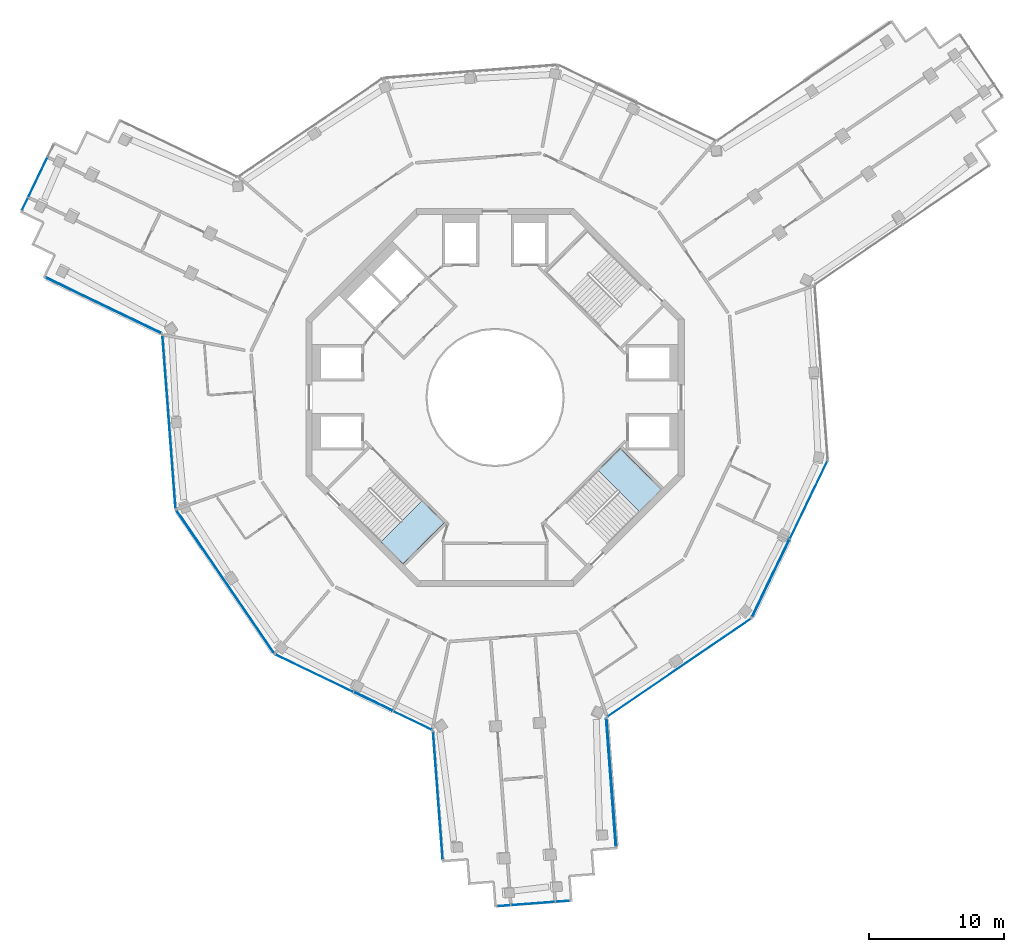
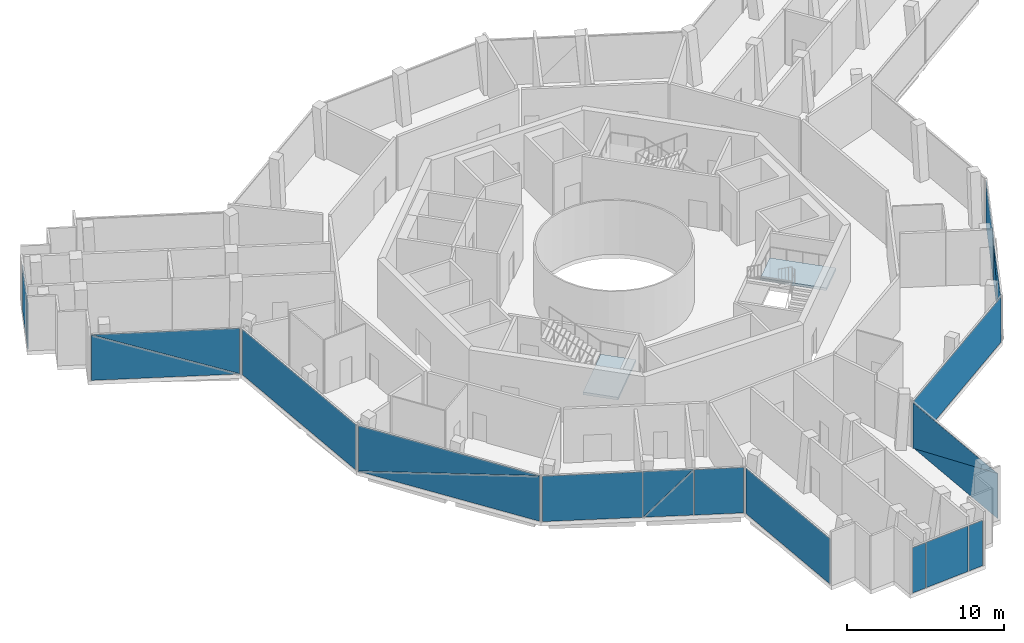
# One storey, part 9 of 19: 21 plates, 2 slabs, 12 elements without a shape of their own.
"""IFC4 building model written with IfcOpenShell, lengths in metres."""

from ifc_helpers import new_model, si_unit, direction, frame, origin, origin_2d, place, context, subcontext, project, spatial, polyline, rectangle, outline, extrude, material, layer, layer_set, type_object, element, aggregate, save


model = new_model("IFC4")

# Units and contexts
model_context = context("Model", 3, precision=1e-05, world=origin(), true_north=direction((0.0, 1.0)))
body_context = subcontext(model_context, "Body", "Model", "MODEL_VIEW")
ifc_project = project(units=[si_unit("LENGTHUNIT", "METRE"), si_unit("AREAUNIT", "SQUARE_METRE"), si_unit("VOLUMEUNIT", "CUBIC_METRE"), si_unit("PLANEANGLEUNIT", "RADIAN"), si_unit("MASSUNIT", "GRAM", prefix="KILO")], contexts=[model_context])

# Site, building, storey
site_placement = place(None, origin())
site = spatial("IfcSite", under=ifc_project, at=site_placement, CompositionType="ELEMENT")
building_placement = place(site_placement, origin())
building = spatial("IfcBuilding", under=site, at=building_placement, Name="Verdalira Terraces Hotel", CompositionType="ELEMENT")
storey_placement = place(building_placement, frame((0.0, 0.0, 295.0)))
storey = spatial("IfcBuildingStorey", under=building, at=storey_placement, Name="L73", CompositionType="ELEMENT", Elevation=295.0)

# Curtain wall, plates
ifc_material_1 = material(Name="Clear glass", Category="glass")
ifc_layer_1 = layer(ifc_material_1, 0.179931640625)
ifc_layer_set_1 = layer_set([ifc_layer_1], Name="CW4 curtain wall")
curtain_wall_type = type_object("IfcCurtainWallType", Name="CW4 curtain wall", PredefinedType="NOTDEFINED", material=ifc_layer_set_1)
curtain_wall_1_placement = place(storey_placement, origin())
curtain_wall_1 = element("IfcCurtainWall", 1, at=curtain_wall_1_placement, inside=storey, type_object=curtain_wall_type, Name="CW4 curtain wall L73 edge 5", PredefinedType="NOTDEFINED")
ifc_material_2 = material(Name="Clear glass", Category="glass")
ifc_layer_2 = layer(ifc_material_2, 0.035888671875)
ifc_layer_set_2 = layer_set([ifc_layer_2], Name="CW4 glass unit 36")
plate_type = type_object("IfcPlateType", Name="CW4 glass unit 36", PredefinedType="CURTAIN_PANEL", material=ifc_layer_set_2)
plate_1_placement = place(storey_placement, frame((-33.838623, 16.294189, 0.0), z_axis=(0.0, 0.0, 1.0), x_axis=(-0.433344523, -0.901228342, 0.0)))
plate_1 = element("IfcPlate", 2, at=plate_1_placement, type_object=plate_type, Name="CW4 glass unit", PredefinedType="CURTAIN_PANEL", context=body_context, shape_type="SweptSolid", body=[
    extrude(rectangle(XDim=3.23291, YDim=0.035889, at=origin_2d()), origin(), (0.0, 0.0, 1.0), 3.52002),
])
plate_2_placement = place(storey_placement, frame((-34.789307, 14.317139, 0.0), z_axis=(0.0, 0.0, 1.0), x_axis=(-0.433344523, -0.901228342, 0.0)))
plate_2 = element("IfcPlate", 3, at=plate_2_placement, type_object=plate_type, Name="CW4 glass unit", PredefinedType="CURTAIN_PANEL", context=body_context, shape_type="SweptSolid", body=[
    extrude(rectangle(XDim=1.024658, YDim=0.035889, at=origin_2d()), origin(), (0.0, 0.0, 1.0), 3.52002),
])
aggregate(curtain_wall_1, [plate_1, plate_2])

curtain_wall_2_placement = place(storey_placement, origin())
curtain_wall_2 = element("IfcCurtainWall", 4, at=curtain_wall_2_placement, inside=storey, type_object=curtain_wall_type, Name="CW4 curtain wall L73 edge 10", PredefinedType="NOTDEFINED")
plate_3_placement = place(storey_placement, frame((-28.98291, 6.810303, 1.76001), z_axis=(-0.433344523, -0.901228342, 0.0), x_axis=(0.901228342, -0.433344523, 0.0)))
plate_3 = element("IfcPlate", 5, at=plate_3_placement, type_object=plate_type, Name="CW4 glass unit", PredefinedType="CURTAIN_PANEL", context=body_context, shape_type="SweptSolid", body=[
    extrude(outline(polyline([(-4.730957, -1.76001), (4.730957, -1.76001), (-4.730957, 1.76001), (-4.730957, -1.76001)])), origin(), (0.0, 0.0, 1.0), 0.035889),
])
plate_4_placement = place(storey_placement, frame((-28.966797, 6.84375, 1.76001), z_axis=(-0.433344523, -0.901228342, 0.0), x_axis=(0.901228342, -0.433344523, 0.0)))
plate_4 = element("IfcPlate", 6, at=plate_4_placement, type_object=plate_type, Name="CW4 glass unit", PredefinedType="CURTAIN_PANEL", context=body_context, shape_type="SweptSolid", body=[
    extrude(outline(polyline([(4.730957, -1.76001), (4.730957, 1.76001), (-4.730957, 1.76001), (4.730957, -1.76001)])), origin(), (0.0, 0.0, 1.0), 0.035889),
])
aggregate(curtain_wall_2, [plate_3, plate_4])

# Curtain wall, plate
curtain_wall_3_placement = place(storey_placement, origin())
curtain_wall_3 = element("IfcCurtainWall", 7, at=curtain_wall_3_placement, inside=storey, type_object=curtain_wall_type, Name="CW4 curtain wall L73 edge 11", PredefinedType="NOTDEFINED")
plate_5_placement = place(storey_placement, frame((-24.130371, -1.811279, 0.0), z_axis=(0.0, 0.0, 1.0), x_axis=(0.075326806, -0.9971589, 0.0)))
plate_5 = element("IfcPlate", 8, at=plate_5_placement, type_object=plate_type, Name="CW4 glass unit", PredefinedType="CURTAIN_PANEL", context=body_context, shape_type="SweptSolid", body=[
    extrude(rectangle(XDim=12.8125, YDim=0.035889, at=origin_2d()), origin(), (0.0, 0.0, 1.0), 3.52002),
])
aggregate(curtain_wall_3, [plate_5])

# Curtain wall, plates
curtain_wall_4_placement = place(storey_placement, origin())
curtain_wall_4 = element("IfcCurtainWall", 9, at=curtain_wall_4_placement, inside=storey, type_object=curtain_wall_type, Name="CW4 curtain wall L73 edge 12", PredefinedType="NOTDEFINED")
plate_6_placement = place(storey_placement, frame((-19.970459, -13.633301, 1.76001), z_axis=(-0.825901536, -0.563814377, 0.0), x_axis=(0.563814377, -0.825901536, 0.0)))
plate_6 = element("IfcPlate", 10, at=plate_6_placement, type_object=plate_type, Name="CW4 glass unit", PredefinedType="CURTAIN_PANEL", context=body_context, shape_type="SweptSolid", body=[
    extrude(outline(polyline([(-6.394775, -1.76001), (6.394775, -1.76001), (6.394775, 1.76001), (-6.394775, -1.76001)])), origin(), (0.0, 0.0, 1.0), 0.035889),
])
plate_7_placement = place(storey_placement, frame((-19.939941, -13.612305, 1.76001), z_axis=(-0.825901536, -0.563814377, 0.0), x_axis=(0.563814377, -0.825901536, 0.0)))
plate_7 = element("IfcPlate", 11, at=plate_7_placement, type_object=plate_type, Name="CW4 glass unit", PredefinedType="CURTAIN_PANEL", context=body_context, shape_type="SweptSolid", body=[
    extrude(outline(polyline([(-6.394775, -1.76001), (6.394775, 1.76001), (-6.394775, 1.76001), (-6.394775, -1.76001)])), origin(), (0.0, 0.0, 1.0), 0.035889),
])
aggregate(curtain_wall_4, [plate_6, plate_7])

curtain_wall_5_placement = place(storey_placement, origin())
curtain_wall_5 = element("IfcCurtainWall", 12, at=curtain_wall_5_placement, inside=storey, type_object=curtain_wall_type, Name="CW4 curtain wall L73 edge 13", PredefinedType="NOTDEFINED")
plate_8_placement = place(storey_placement, frame((-13.382568, -20.415527, 0.0), z_axis=(0.0, 0.0, 1.0), x_axis=(0.901228342, -0.433344523, 0.0)))
plate_8 = element("IfcPlate", 13, at=plate_8_placement, type_object=plate_type, Name="CW4 glass unit", PredefinedType="CURTAIN_PANEL", context=body_context, shape_type="SweptSolid", body=[
    extrude(rectangle(XDim=6.362305, YDim=0.035889, at=origin_2d()), origin(), (0.0, 0.0, 1.0), 3.52002),
])
plate_9_placement = place(storey_placement, frame((-9.013916, -22.496338, 1.76001), z_axis=(-0.433344523, -0.901228342, 0.0), x_axis=(0.901228342, -0.433344523, 0.0)))
plate_9 = element("IfcPlate", 14, at=plate_9_placement, type_object=plate_type, Name="CW4 glass unit", PredefinedType="CURTAIN_PANEL", context=body_context, shape_type="SweptSolid", body=[
    extrude(outline(polyline([(-1.592529, -1.76001), (1.592529, -1.76001), (1.592529, 1.76001), (-1.592529, -1.76001)])), origin(), (0.0, 0.0, 1.0), 0.035889),
])
plate_10_placement = place(storey_placement, frame((-8.997803, -22.462891, 1.76001), z_axis=(-0.433344523, -0.901228342, 0.0), x_axis=(0.901228342, -0.433344523, 0.0)))
plate_10 = element("IfcPlate", 15, at=plate_10_placement, type_object=plate_type, Name="CW4 glass unit", PredefinedType="CURTAIN_PANEL", context=body_context, shape_type="SweptSolid", body=[
    extrude(outline(polyline([(-1.592529, -1.76001), (1.592529, 1.76001), (-1.592529, 1.76001), (-1.592529, -1.76001)])), origin(), (0.0, 0.0, 1.0), 0.035889),
])
plate_11_placement = place(storey_placement, frame((-6.115234, -23.909912, 0.0), z_axis=(0.0, 0.0, 1.0), x_axis=(0.901228342, -0.433344523, 0.0)))
plate_11 = element("IfcPlate", 16, at=plate_11_placement, type_object=plate_type, Name="CW4 glass unit", PredefinedType="CURTAIN_PANEL", context=body_context, shape_type="SweptSolid", body=[
    extrude(rectangle(XDim=3.135254, YDim=0.035889, at=origin_2d()), origin(), (0.0, 0.0, 1.0), 3.52002),
])
aggregate(curtain_wall_5, [plate_8, plate_9, plate_10, plate_11])

# Curtain wall, plate
curtain_wall_6_placement = place(storey_placement, origin())
curtain_wall_6 = element("IfcCurtainWall", 17, at=curtain_wall_6_placement, inside=storey, type_object=curtain_wall_type, Name="CW4 curtain wall L73 edge 14", PredefinedType="NOTDEFINED")
plate_12_placement = place(storey_placement, frame((-4.231934, -29.474121, 0.0), z_axis=(0.0, 0.0, 1.0), x_axis=(0.075326806, -0.9971589, 0.0)))
plate_12 = element("IfcPlate", 18, at=plate_12_placement, type_object=plate_type, Name="CW4 glass unit", PredefinedType="CURTAIN_PANEL", context=body_context, shape_type="SweptSolid", body=[
    extrude(rectangle(XDim=9.46167, YDim=0.035889, at=origin_2d()), origin(), (0.0, 0.0, 1.0), 3.52002),
])
aggregate(curtain_wall_6, [plate_12])

# Curtain wall, plates
curtain_wall_7_placement = place(storey_placement, origin())
curtain_wall_7 = element("IfcCurtainWall", 19, at=curtain_wall_7_placement, inside=storey, type_object=curtain_wall_type, Name="CW4 curtain wall L73 edge 19", PredefinedType="NOTDEFINED")
plate_13_placement = place(storey_placement, frame((0.641602, -37.615967, 0.0), z_axis=(0.0, 0.0, 1.0), x_axis=(0.9971589, 0.075326806, 0.0)))
plate_13 = element("IfcPlate", 20, at=plate_13_placement, type_object=plate_type, Name="CW4 glass unit", PredefinedType="CURTAIN_PANEL", context=body_context, shape_type="SweptSolid", body=[
    extrude(rectangle(XDim=0.982422, YDim=0.035889, at=origin_2d()), origin(), (0.0, 0.0, 1.0), 3.52002),
])
plate_14_placement = place(storey_placement, frame((2.808105, -37.452393, 0.0), z_axis=(0.0, 0.0, 1.0), x_axis=(0.9971589, 0.075326806, 0.0)))
plate_14 = element("IfcPlate", 21, at=plate_14_placement, type_object=plate_type, Name="CW4 glass unit", PredefinedType="CURTAIN_PANEL", context=body_context, shape_type="SweptSolid", body=[
    extrude(rectangle(XDim=3.23291, YDim=0.035889, at=origin_2d()), origin(), (0.0, 0.0, 1.0), 3.52002),
])
plate_15_placement = place(storey_placement, frame((4.995605, -37.287109, 0.0), z_axis=(0.0, 0.0, 1.0), x_axis=(0.9971589, 0.075326806, 0.0)))
plate_15 = element("IfcPlate", 22, at=plate_15_placement, type_object=plate_type, Name="CW4 glass unit", PredefinedType="CURTAIN_PANEL", context=body_context, shape_type="SweptSolid", body=[
    extrude(rectangle(XDim=1.024658, YDim=0.035889, at=origin_2d()), origin(), (0.0, 0.0, 1.0), 3.52002),
])
aggregate(curtain_wall_7, [plate_13, plate_14, plate_15])

curtain_wall_8_placement = place(storey_placement, origin())
curtain_wall_8 = element("IfcCurtainWall", 23, at=curtain_wall_8_placement, inside=storey, type_object=curtain_wall_type, Name="CW4 curtain wall L73 edge 24", PredefinedType="NOTDEFINED")
plate_16_placement = place(storey_placement, frame((8.59375, -28.505371, 1.76001), z_axis=(0.9971589, 0.075326806, 0.0), x_axis=(-0.075326806, 0.9971589, 0.0)))
plate_16 = element("IfcPlate", 24, at=plate_16_placement, type_object=plate_type, Name="CW4 glass unit", PredefinedType="CURTAIN_PANEL", context=body_context, shape_type="SweptSolid", body=[
    extrude(outline(polyline([(-4.730957, -1.76001), (4.730957, -1.76001), (-4.730957, 1.76001), (-4.730957, -1.76001)])), origin(), (0.0, 0.0, 1.0), 0.035889),
])
plate_17_placement = place(storey_placement, frame((8.556641, -28.508057, 1.76001), z_axis=(0.9971589, 0.075326806, 0.0), x_axis=(-0.075326806, 0.9971589, 0.0)))
plate_17 = element("IfcPlate", 25, at=plate_17_placement, type_object=plate_type, Name="CW4 glass unit", PredefinedType="CURTAIN_PANEL", context=body_context, shape_type="SweptSolid", body=[
    extrude(outline(polyline([(4.730957, -1.76001), (4.730957, 1.76001), (-4.730957, 1.76001), (4.730957, -1.76001)])), origin(), (0.0, 0.0, 1.0), 0.035889),
])
aggregate(curtain_wall_8, [plate_16, plate_17])

# Curtain wall, plate
curtain_wall_9_placement = place(storey_placement, origin())
curtain_wall_9 = element("IfcCurtainWall", 26, at=curtain_wall_9_placement, inside=storey, type_object=curtain_wall_type, Name="CW4 curtain wall L73 edge 25", PredefinedType="NOTDEFINED")
plate_18_placement = place(storey_placement, frame((13.634033, -19.991943, 0.0), z_axis=(0.0, 0.0, 1.0), x_axis=(0.825901536, 0.563814377, 0.0)))
plate_18 = element("IfcPlate", 27, at=plate_18_placement, type_object=plate_type, Name="CW4 glass unit", PredefinedType="CURTAIN_PANEL", context=body_context, shape_type="SweptSolid", body=[
    extrude(rectangle(XDim=12.8125, YDim=0.035889, at=origin_2d()), origin(), (0.0, 0.0, 1.0), 3.52002),
])
aggregate(curtain_wall_9, [plate_18])

# Curtain wall, plates
curtain_wall_10_placement = place(storey_placement, origin())
curtain_wall_10 = element("IfcCurtainWall", 28, at=curtain_wall_10_placement, inside=storey, type_object=curtain_wall_type, Name="CW4 curtain wall L73 edge 26", PredefinedType="NOTDEFINED")
plate_19_placement = place(storey_placement, frame((20.399414, -13.374756, 1.76001), z_axis=(0.901228342, -0.433344523, 0.0), x_axis=(0.433344523, 0.901228342, 0.0)))
plate_19 = element("IfcPlate", 29, at=plate_19_placement, type_object=plate_type, Name="CW4 glass unit", PredefinedType="CURTAIN_PANEL", context=body_context, shape_type="SweptSolid", body=[
    extrude(outline(polyline([(-3.181152, -1.76001), (3.181152, -1.76001), (3.181152, 1.76001), (-3.181152, -1.76001)])), origin(), (0.0, 0.0, 1.0), 0.035889),
])
plate_20_placement = place(storey_placement, frame((20.365967, -13.358643, 1.76001), z_axis=(0.901228342, -0.433344523, 0.0), x_axis=(0.433344523, 0.901228342, 0.0)))
plate_20 = element("IfcPlate", 30, at=plate_20_placement, type_object=plate_type, Name="CW4 glass unit", PredefinedType="CURTAIN_PANEL", context=body_context, shape_type="SweptSolid", body=[
    extrude(outline(polyline([(-3.181152, -1.76001), (3.181152, 1.76001), (-3.181152, 1.76001), (-3.181152, -1.76001)])), origin(), (0.0, 0.0, 1.0), 0.035889),
])
plate_21_placement = place(storey_placement, frame((23.200928, -7.590088, 0.0), z_axis=(0.0, 0.0, 1.0), x_axis=(0.433344523, 0.901228342, 0.0)))
plate_21 = element("IfcPlate", 31, at=plate_21_placement, type_object=plate_type, Name="CW4 glass unit", PredefinedType="CURTAIN_PANEL", context=body_context, shape_type="SweptSolid", body=[
    extrude(rectangle(XDim=6.362305, YDim=0.035889, at=origin_2d()), origin(), (0.0, 0.0, 1.0), 3.52002),
])
aggregate(curtain_wall_10, [plate_19, plate_20, plate_21])

# Stair, slab
ifc_material_3 = material(Name="Concrete C40", Category="concrete")
stair_type = type_object("IfcStairType", Name="Core stair 26 risers 2125 mm wide", PredefinedType="HALF_TURN_STAIR", material=ifc_material_3)
stair_1_placement = place(storey_placement, origin())
stair_1 = element("IfcStair", 32, at=stair_1_placement, inside=storey, type_object=stair_type, Name="L73 Exit stair ST2", PredefinedType="HALF_TURN_STAIR")
ifc_material_4 = material(Name="Concrete C40", Category="concrete")
ifc_layer_3 = layer(ifc_material_4, 0.199951171875)
ifc_layer_set_3 = layer_set([ifc_layer_3], Name="Core stair landing 200 mm")
slab_type = type_object("IfcSlabType", Name="Core stair landing 200 mm", PredefinedType="LANDING", material=ifc_layer_set_3)
slab_1_placement = place(storey_placement, frame((0.0, 0.0, 2.050049)))
slab_1 = element("IfcSlab", 33, at=slab_1_placement, type_object=slab_type, Name="ST2 landing 1", PredefinedType="LANDING", context=body_context, shape_type="SweptSolid", body=[
    extrude(outline(polyline([(-8.460938, -10.70166), (-6.823486, -12.339111), (-3.747559, -9.263184), (-5.38501, -7.625732), (-8.460938, -10.70166)])), origin(), (0.0, 0.0, 1.0), 0.199951),
])
aggregate(stair_1, [slab_1])

stair_2_placement = place(storey_placement, origin())
stair_2 = element("IfcStair", 34, at=stair_2_placement, inside=storey, type_object=stair_type, Name="L73 Exit stair ST3", PredefinedType="HALF_TURN_STAIR")
slab_2_placement = place(storey_placement, frame((0.0, 0.0, 2.050049)))
slab_2 = element("IfcSlab", 35, at=slab_2_placement, type_object=slab_type, Name="ST3 landing 1", PredefinedType="LANDING", context=body_context, shape_type="SweptSolid", body=[
    extrude(outline(polyline([(10.70166, -8.460938), (12.339111, -6.823486), (9.263184, -3.747559), (7.625732, -5.38501), (10.70166, -8.460938)])), origin(), (0.0, 0.0, 1.0), 0.199951),
])
aggregate(stair_2, [slab_2])

save(model, "model.ifc")
